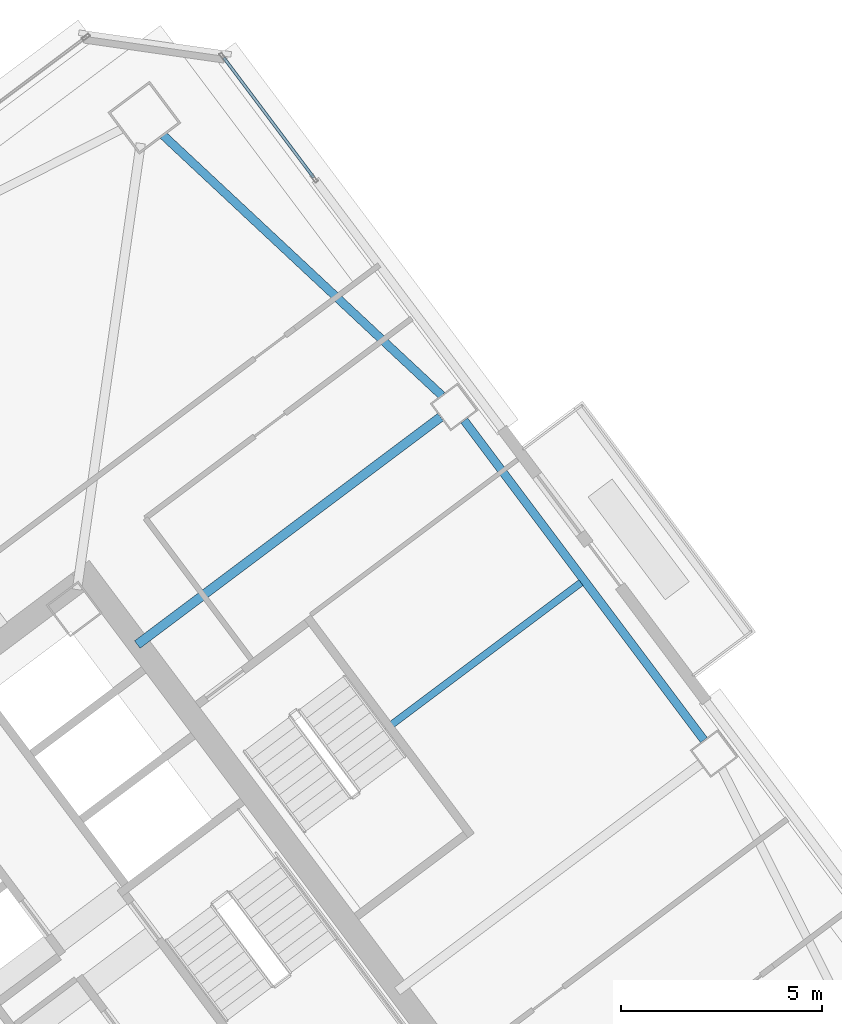
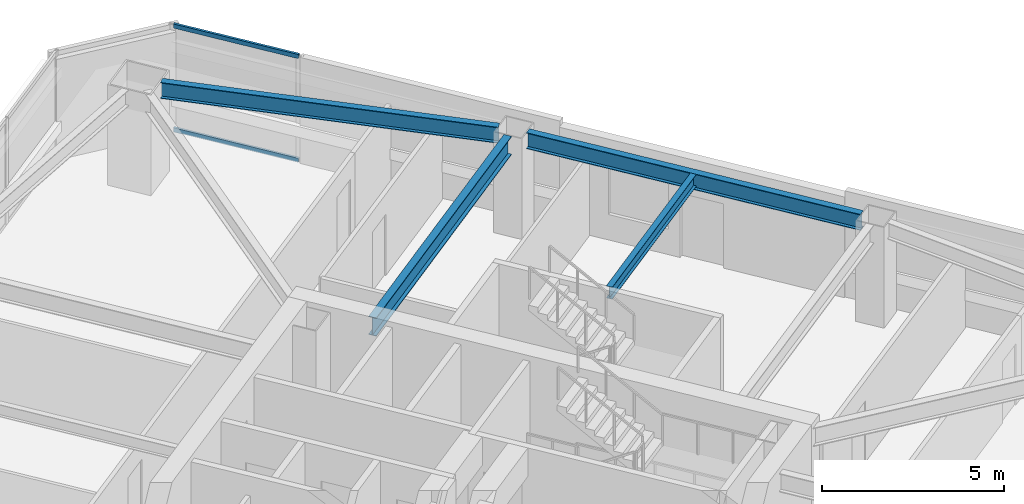
# One storey, part 31 of 46: 4 beams, 2 members, 1 element without a shape of its own.
"""IFC4 building model written with IfcOpenShell, lengths in metres."""

from ifc_helpers import new_model, si_unit, direction, frame, origin, origin_2d, place, context, subcontext, project, spatial, hollow_rectangle, i_section, extrude, material, material_profile, profile_set, type_object, element, aggregate, save


model = new_model("IFC4")

# Units and contexts
model_context = context("Model", 3, precision=1e-05, world=origin(), true_north=direction((0.0, 1.0)))
body_context = subcontext(model_context, "Body", "Model", "MODEL_VIEW")
ifc_project = project(units=[si_unit("LENGTHUNIT", "METRE"), si_unit("AREAUNIT", "SQUARE_METRE"), si_unit("VOLUMEUNIT", "CUBIC_METRE"), si_unit("PLANEANGLEUNIT", "RADIAN"), si_unit("MASSUNIT", "GRAM", prefix="KILO")], contexts=[model_context])

# Site, building, storey
site_placement = place(None, origin())
site = spatial("IfcSite", under=ifc_project, at=site_placement, CompositionType="ELEMENT")
building_placement = place(site_placement, origin())
building = spatial("IfcBuilding", under=site, at=building_placement, Name="Tashvorn Skyway Center", CompositionType="ELEMENT")
storey_placement = place(building_placement, frame((0.0, 0.0, 132.14990234375)))
storey = spatial("IfcBuildingStorey", under=building, at=storey_placement, Name="L35", CompositionType="ELEMENT", Elevation=132.14990234375)

# Beams
ifc_material_1 = material(Name="Steel ASTM A992 Grade 50", Category="steel")
ifc_material_profile_1 = material_profile(ifc_material_1, i_section(OverallWidth=0.22998046875, OverallDepth=0.616943359375, WebThickness=0.01318359375, FlangeThickness=0.022216796875, at=origin_2d()), Name="W24X94")
ifc_profile_set_1 = profile_set([ifc_material_profile_1], Name="Steel ASTM A992 Grade 50")
beam_type_1 = type_object("IfcBeamType", Name="BM-BEAM-W24X94", PredefinedType="BEAM", material=ifc_profile_set_1)
beam_1_placement = place(storey_placement, frame((124.5439453125, 46.657958984375, 3.0615234375), z_axis=(-0.800006200354, -0.599991732772, 0.0), x_axis=(0.599991732772, -0.800006200354, 0.0)))
element("IfcBeam", 1, at=beam_1_placement, inside=storey, type_object=beam_type_1, Name="Tower 2 L35 Primary Floor Girder FC-E2", PredefinedType="BEAM", context=body_context, shape_type="SweptSolid", body=[
    extrude(i_section(OverallWidth=0.22998046875, OverallDepth=0.616943359375, WebThickness=0.01318359375, FlangeThickness=0.022216796875, at=origin_2d()), origin(), (0.0, 0.0, 1.0), 9.449951171875),
])
ifc_material_profile_2 = material_profile(ifc_material_1, i_section(OverallWidth=0.177978515625, OverallDepth=0.406005859375, WebThickness=0.0078125, FlangeThickness=0.0126953125, at=origin_2d()), Name="W16X40")
ifc_profile_set_2 = profile_set([ifc_material_profile_2], Name="Steel ASTM A992 Grade 50")
beam_type_2 = type_object("IfcBeamType", Name="BM-JOIST-W16X40", PredefinedType="JOIST", material=ifc_profile_set_2)
beam_2_placement = place(storey_placement, frame((123.3359375, 39.001953125, 3.1669921875), z_axis=(0.8, 0.6, 0.0), x_axis=(-0.6, 0.8, 0.0)))
element("IfcBeam", 2, at=beam_2_placement, inside=storey, type_object=beam_type_2, Name="Tower 2 L35 Secondary Composite Joist JE", PredefinedType="JOIST", context=body_context, shape_type="SweptSolid", body=[
    extrude(i_section(OverallWidth=0.177978515625, OverallDepth=0.406005859375, WebThickness=0.0078125, FlangeThickness=0.0126953125, at=origin_2d()), origin(), (0.0, 0.0, 1.0), 5.882568359375),
])
ifc_material_profile_3 = material_profile(ifc_material_1, i_section(OverallWidth=0.2109375, OverallDepth=0.5390625, WebThickness=0.01171875, FlangeThickness=0.018798828125, at=origin_2d()), Name="W21X73")
ifc_profile_set_3 = profile_set([ifc_material_profile_3], Name="Steel ASTM A992 Grade 50")
beam_type_3 = type_object("IfcBeamType", Name="BM-SPANDREL-W21X73", PredefinedType="SPANDREL", material=ifc_profile_set_3)
beam_3_placement = place(storey_placement, frame((131.10791015625, 38.60595703125, 3.1005859375), z_axis=(-0.599988234018, 0.800008824351, 0.0), x_axis=(-0.800008824351, -0.599988234018, 0.0)))
element("IfcBeam", 3, at=beam_3_placement, inside=storey, type_object=beam_type_3, Name="Tower 2 L35 Spandrel Beam 05", PredefinedType="SPANDREL", context=body_context, shape_type="SweptSolid", body=[
    extrude(i_section(OverallWidth=0.2109375, OverallDepth=0.5390625, WebThickness=0.01171875, FlangeThickness=0.018798828125, at=origin_2d()), origin(), (0.0, 0.0, 1.0), 9.9599609375),
])
beam_4_placement = place(storey_placement, frame((124.572998046875, 47.19677734375, 3.1005859375), z_axis=(-0.730843250868, 0.682545341102, 0.0), x_axis=(-0.682545341102, -0.730843250868, 0.0)))
element("IfcBeam", 4, at=beam_4_placement, inside=storey, type_object=beam_type_3, Name="Tower 2 L35 Spandrel Beam 06", PredefinedType="SPANDREL", context=body_context, shape_type="SweptSolid", body=[
    extrude(i_section(OverallWidth=0.2109375, OverallDepth=0.5390625, WebThickness=0.01171875, FlangeThickness=0.018798828125, at=origin_2d()), origin(), (0.0, 0.0, 1.0), 9.498046875),
])

# Curtain wall, members
ifc_material_2 = material(Name="Thermally broken bronze-anodized aluminium 6063-T6", Category="aluminium")
curtain_wall_type = type_object("IfcCurtainWallType", Name="CW-CW-Z3", PredefinedType="NOTDEFINED", material=ifc_material_2)
curtain_wall_placement = place(storey_placement, origin())
curtain_wall = element("IfcCurtainWall", 5, at=curtain_wall_placement, inside=storey, type_object=curtain_wall_type, Name="Tower 2 L35 East Curtain Wall L Glazing Group 1", PredefinedType="NOTDEFINED")
ifc_material_profile_4 = material_profile(ifc_material_2, hollow_rectangle(XDim=0.074951171875, YDim=0.139892578125, WallThickness=0.004150390625, at=origin_2d()), Name="ALU-TRAN-75x140")
ifc_profile_set_4 = profile_set([ifc_material_profile_4], Name="Thermally broken bronze-anodized aluminium 6063-T6")
member_type = type_object("IfcMemberType", Name="CWT-CW-Z3", PredefinedType="USERDEFINED", material=ifc_profile_set_4)
member_1_placement = place(storey_placement, frame((119.14111328125, 55.612060546875, 0.03759765625), z_axis=(0.599958071554, -0.800031444618, 0.0), x_axis=(0.800031444618, 0.599958071554, 0.0)))
member_1 = element("IfcMember", 6, at=member_1_placement, type_object=member_type, Name="CW-Z3 transom 1.1", ObjectType="TRANSOM", PredefinedType="USERDEFINED", context=body_context, shape_type="SweptSolid", body=[
    extrude(hollow_rectangle(XDim=0.074951171875, YDim=0.139892578125, WallThickness=0.004150390625, at=origin_2d()), origin(), (0.0, 0.0, 1.0), 3.7265625),
])
member_2_placement = place(storey_placement, frame((119.14111328125, 55.612060546875, 3.5126953125), z_axis=(0.599958071554, -0.800031444618, 0.0), x_axis=(0.800031444618, 0.599958071554, 0.0)))
member_2 = element("IfcMember", 7, at=member_2_placement, type_object=member_type, Name="CW-Z3 transom 1.2", ObjectType="TRANSOM", PredefinedType="USERDEFINED", context=body_context, shape_type="SweptSolid", body=[
    extrude(hollow_rectangle(XDim=0.074951171875, YDim=0.139892578125, WallThickness=0.004150390625, at=origin_2d()), origin(), (0.0, 0.0, 1.0), 3.7265625),
])
aggregate(curtain_wall, [member_1, member_2])

save(model, "model.ifc")
